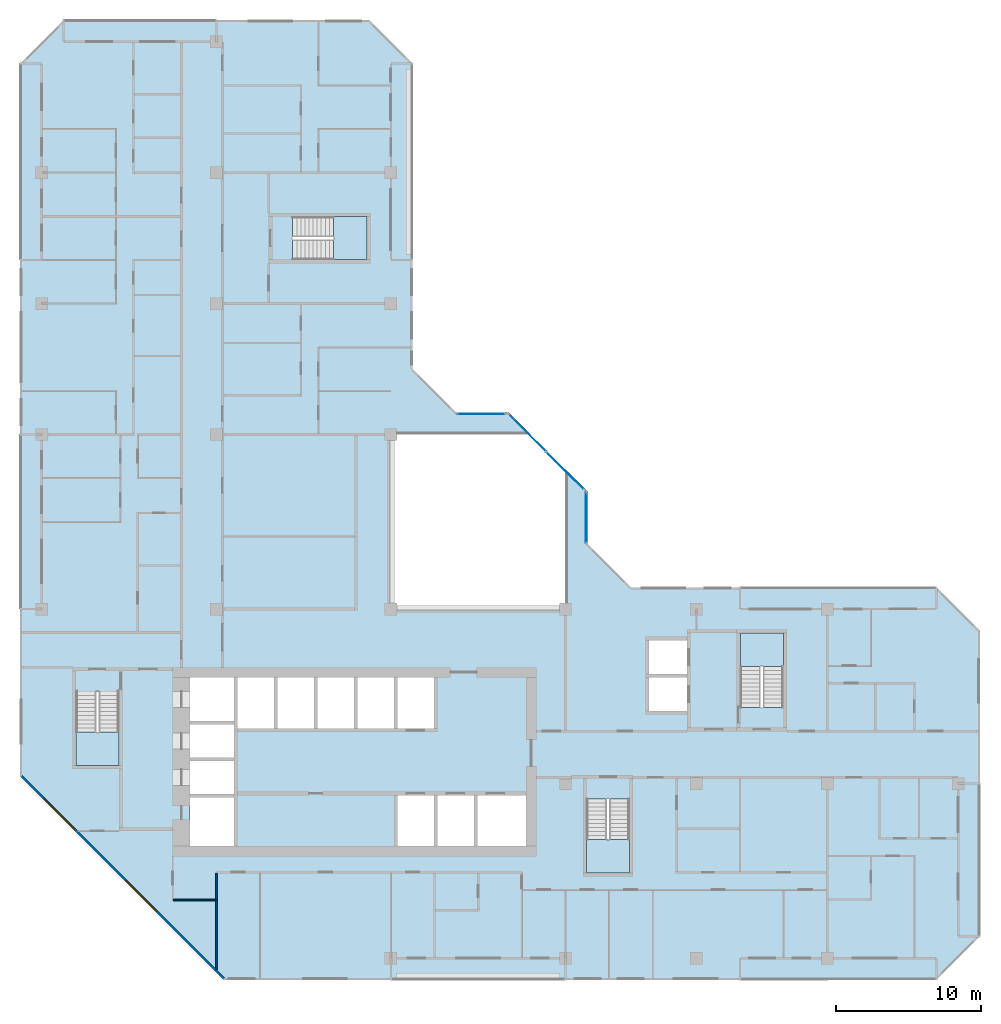
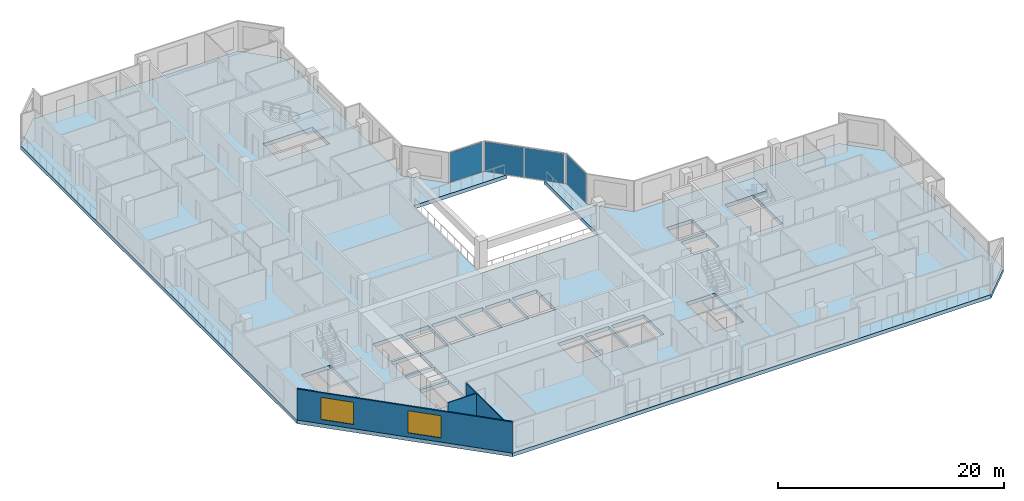
# One storey, part 3 of 14: 5 slabs, 4 plates, 3 walls, 2 windows, 2 openings, 7 elements without a shape of their own.
"""IFC4 building model written with IfcOpenShell, lengths in metres."""

from ifc_helpers import new_model, si_unit, direction, frame, frame_2d, origin, origin_2d, place, context, subcontext, project, spatial, polyline, rectangle, outline, extrude, material, layer, layer_set, type_object, element, fill, aggregate, save


model = new_model("IFC4")

# Units and contexts
model_context = context("Model", 3, precision=1e-05, world=origin(), true_north=direction((0.0, 1.0)))
body_context = subcontext(model_context, "Body", "Model", "MODEL_VIEW")
ifc_project = project(units=[si_unit("LENGTHUNIT", "METRE"), si_unit("AREAUNIT", "SQUARE_METRE"), si_unit("VOLUMEUNIT", "CUBIC_METRE"), si_unit("PLANEANGLEUNIT", "RADIAN"), si_unit("MASSUNIT", "GRAM", prefix="KILO")], contexts=[model_context])

# Site, building, storey
site_placement = place(None, origin())
site = spatial("IfcSite", under=ifc_project, at=site_placement, CompositionType="ELEMENT")
building_placement = place(site_placement, origin())
building = spatial("IfcBuilding", under=site, at=building_placement, Name="Chenar Terraces", CompositionType="ELEMENT")
storey_placement = place(building_placement, frame((0.0, 0.0, 241.64990234375)))
storey = spatial("IfcBuildingStorey", under=building, at=storey_placement, Name="L57", CompositionType="ELEMENT", Elevation=241.64990234375)

# Curtain wall, plate
ifc_material_1 = material(Name="Aluminium framed glazing", Category="aluminium")
ifc_layer_1 = layer(ifc_material_1, 0.14990234375)
ifc_layer_set_1 = layer_set([ifc_layer_1], Name="Aluminium framed glazing")
curtain_wall_type = type_object("IfcCurtainWallType", Name="Atrium mid-zone curtain wall", PredefinedType="NOTDEFINED", material=ifc_layer_set_1)
placement_1 = place(storey_placement, origin())
curtain_wall_1 = element("IfcCurtainWall", 1, at=placement_1, inside=storey, type_object=curtain_wall_type, Name="Atrium mid-zone curtain wall", PredefinedType="NOTDEFINED")
ifc_material_2 = material(Name="Low emissivity laminated glass, solar control coating", Category="glass")
ifc_layer_2 = layer(ifc_material_2, 0.031982421875)
ifc_layer_set_2 = layer_set([ifc_layer_2], Name="Low emissivity laminated glass, solar control coating")
plate_type = type_object("IfcPlateType", Name="Atrium mid-zone glazing panel 32", PredefinedType="CURTAIN_PANEL", material=ifc_layer_set_2)
plate_1_placement = place(storey_placement, frame((37.425048828125, 30.300048828125, 0.070068359375), z_axis=(0.0, 0.0, 1.0), x_axis=(0.0, 1.0, 0.0)))
plate_1 = element("IfcPlate", 2, at=plate_1_placement, type_object=plate_type, Name="CW7-1 panel 1.1", PredefinedType="CURTAIN_PANEL", context=body_context, shape_type="SweptSolid", body=[
    extrude(rectangle(XDim=3.4599609375, YDim=0.031982421875, at=origin_2d()), origin(), (0.0, 0.0, 1.0), 3.2099609375),
])
aggregate(curtain_wall_1, [plate_1])

# Curtain wall, plates
curtain_wall_2 = element("IfcCurtainWall", 3, at=placement_1, inside=storey, type_object=curtain_wall_type, Name="Atrium mid-zone curtain wall", PredefinedType="NOTDEFINED")
plate_2_placement = place(storey_placement, frame((35.978515625, 33.515380859375, 0.070068359375), z_axis=(0.0, 0.0, 1.0), x_axis=(-0.707106781187, 0.707106781187, 0.0)))
plate_2 = element("IfcPlate", 4, at=plate_2_placement, type_object=plate_type, Name="CW7-2 panel 1.1", PredefinedType="CURTAIN_PANEL", context=body_context, shape_type="SweptSolid", body=[
    extrude(rectangle(XDim=3.61328125, YDim=0.031982421875, at=origin_2d()), origin(), (0.0, 0.0, 1.0), 3.2099609375),
])
plate_3_placement = place(storey_placement, frame((33.3740234375, 36.119873046875, 0.070068359375), z_axis=(0.0, 0.0, 1.0), x_axis=(-0.707106781187, 0.707106781187, 0.0)))
plate_3 = element("IfcPlate", 5, at=plate_3_placement, type_object=plate_type, Name="CW7-2 panel 2.1", PredefinedType="CURTAIN_PANEL", context=body_context, shape_type="SweptSolid", body=[
    extrude(rectangle(XDim=3.61328125, YDim=0.031982421875, at=origin_2d()), origin(), (0.0, 0.0, 1.0), 3.2099609375),
])
aggregate(curtain_wall_2, [plate_2, plate_3])

# Curtain wall, plate
curtain_wall_3 = element("IfcCurtainWall", 6, at=placement_1, inside=storey, type_object=curtain_wall_type, Name="Atrium mid-zone curtain wall", PredefinedType="NOTDEFINED")
plate_4_placement = place(storey_placement, frame((30.199951171875, 37.425048828125, 0.070068359375), z_axis=(0.0, 0.0, 1.0), x_axis=(-1.0, 0.0, 0.0)))
plate_4 = element("IfcPlate", 7, at=plate_4_placement, type_object=plate_type, Name="CW7-3 panel 1.1", PredefinedType="CURTAIN_PANEL", context=body_context, shape_type="SweptSolid", body=[
    extrude(rectangle(XDim=3.260009765625, YDim=0.031982421875, at=origin_2d()), origin(), (0.0, 0.0, 1.0), 3.2099609375),
])
aggregate(curtain_wall_3, [plate_4])

# Stair, slab
ifc_material_3 = material(Name="Reinforced concrete C40/50", Category="concrete")
stair_type = type_object("IfcStairType", Name="Core stair 1400 half-turn", PredefinedType="HALF_TURN_STAIR", material=ifc_material_3)
stair_1 = element("IfcStair", 8, at=placement_1, inside=storey, type_object=stair_type, Name="L57 Stair 1", PredefinedType="HALF_TURN_STAIR")
ifc_material_4 = material(Name="Reinforced concrete C40/50", Category="concrete")
ifc_layer_3 = layer(ifc_material_4, 0.199951171875)
ifc_layer_set_3 = layer_set([ifc_layer_3], Name="Reinforced concrete C40/50")
slab_type_1 = type_object("IfcSlabType", Name="Core stair landing 200", PredefinedType="LANDING", material=ifc_layer_set_3)
placement_2 = place(storey_placement, frame((0.0, 0.0, 1.675048828125)))
slab_1 = element("IfcSlab", 9, at=placement_2, type_object=slab_type_1, Name="ST1 landing 1", PredefinedType="LANDING", context=body_context, shape_type="SweptSolid", body=[
    extrude(outline(polyline([(2.35009765625, 15.550048828125), (2.35009765625, 13.25), (5.300048828125, 13.25), (5.300048828125, 15.550048828125), (2.35009765625, 15.550048828125)])), origin(), (0.0, 0.0, 1.0), 0.199951171875),
])
aggregate(stair_1, [slab_1])

stair_2 = element("IfcStair", 10, at=placement_1, inside=storey, type_object=stair_type, Name="L57 Stair 2", PredefinedType="HALF_TURN_STAIR")
slab_2 = element("IfcSlab", 11, at=placement_2, type_object=slab_type_1, Name="ST2 landing 1", PredefinedType="LANDING", context=body_context, shape_type="SweptSolid", body=[
    extrude(outline(polyline([(37.449951171875, 8.14990234375), (37.449951171875, 5.85009765625), (40.39990234375, 5.85009765625), (40.39990234375, 8.14990234375), (37.449951171875, 8.14990234375)])), origin(), (0.0, 0.0, 1.0), 0.199951171875),
])
aggregate(stair_2, [slab_2])

stair_3 = element("IfcStair", 12, at=placement_1, inside=storey, type_object=stair_type, Name="L57 Stair 3", PredefinedType="HALF_TURN_STAIR")
slab_3 = element("IfcSlab", 13, at=placement_2, type_object=slab_type_1, Name="ST3 landing 1", PredefinedType="LANDING", context=body_context, shape_type="SweptSolid", body=[
    extrude(outline(polyline([(50.97509765625, 20.050048828125), (50.97509765625, 22.35009765625), (48.02490234375, 22.35009765625), (48.02490234375, 20.050048828125), (50.97509765625, 20.050048828125)])), origin(), (0.0, 0.0, 1.0), 0.199951171875),
])
aggregate(stair_3, [slab_3])

stair_4 = element("IfcStair", 14, at=placement_1, inside=storey, type_object=stair_type, Name="L57 Stair 4", PredefinedType="HALF_TURN_STAIR")
slab_4 = element("IfcSlab", 15, at=placement_2, type_object=slab_type_1, Name="ST4 landing 1", PredefinedType="LANDING", context=body_context, shape_type="SweptSolid", body=[
    extrude(outline(polyline([(20.050048828125, 48.02490234375), (22.35009765625, 48.02490234375), (22.35009765625, 50.97509765625), (20.050048828125, 50.97509765625), (20.050048828125, 48.02490234375)])), origin(), (0.0, 0.0, 1.0), 0.199951171875),
])
aggregate(stair_4, [slab_4])

# Slab
ifc_material_5 = material(Name="Concrete C40/50", Category="concrete")
ifc_layer_4 = layer(ifc_material_5, 0.39990234375)
ifc_layer_set_4 = layer_set([ifc_layer_4], Name="Concrete C40/50")
slab_type_2 = type_object("IfcSlabType", Name="Floor slab 400 Concrete C40/50", PredefinedType="FLOOR", material=ifc_layer_set_4)
slab_5_placement = place(storey_placement, frame((0.0, 0.0, -0.39990234375)))
element("IfcSlab", 16, at=slab_5_placement, inside=storey, type_object=slab_type_2, Name="Floor slab L57", PredefinedType="FLOOR", context=body_context, shape_type="SweptSolid", body=[
    extrude(outline(polyline([(64.5, 22.5), (64.5, 1.5), (61.5, -1.5), (12.5, -1.5), (-1.5, 12.5), (-1.5, 61.5), (1.5, 64.5), (22.5, 64.5), (25.5, 61.5), (25.5, 40.5), (28.5, 37.5), (32.10009765625, 37.5), (33.60009765625, 36.0), (24.0, 36.0), (24.0, 24.0), (36.0, 24.0), (36.0, 33.60009765625), (37.5, 32.10009765625), (37.5, 28.5), (40.5, 25.5), (61.5, 25.5), (64.5, 22.5)]), holes=[polyline([(13.199951171875, 11.050048828125), (10.199951171875, 11.050048828125), (10.199951171875, 7.699951171875), (13.199951171875, 7.699951171875), (13.199951171875, 11.050048828125)]), polyline([(13.199951171875, 13.550048828125), (10.199951171875, 13.550048828125), (10.199951171875, 11.300048828125), (13.199951171875, 11.300048828125), (13.199951171875, 13.550048828125)]), polyline([(13.199951171875, 16.050048828125), (10.199951171875, 16.050048828125), (10.199951171875, 13.800048828125), (13.199951171875, 13.800048828125), (13.199951171875, 16.050048828125)]), polyline([(2.35009765625, 13.25), (5.300048828125, 13.25), (5.300048828125, 18.35009765625), (2.35009765625, 18.35009765625), (2.35009765625, 13.25)]), polyline([(15.949951171875, 19.300048828125), (13.449951171875, 19.300048828125), (13.449951171875, 15.800048828125), (15.949951171875, 15.800048828125), (15.949951171875, 19.300048828125)]), polyline([(18.699951171875, 19.300048828125), (16.199951171875, 19.300048828125), (16.199951171875, 15.800048828125), (18.699951171875, 15.800048828125), (18.699951171875, 19.300048828125)]), polyline([(21.449951171875, 19.300048828125), (18.949951171875, 19.300048828125), (18.949951171875, 15.800048828125), (21.449951171875, 15.800048828125), (21.449951171875, 19.300048828125)]), polyline([(24.199951171875, 15.800048828125), (24.199951171875, 19.300048828125), (21.699951171875, 19.300048828125), (21.699951171875, 15.800048828125), (24.199951171875, 15.800048828125)]), polyline([(13.199951171875, 16.300048828125), (13.199951171875, 19.300048828125), (10.199951171875, 19.300048828125), (10.199951171875, 16.300048828125), (13.199951171875, 16.300048828125)]), polyline([(22.35009765625, 48.02490234375), (22.35009765625, 50.97509765625), (17.25, 50.97509765625), (17.25, 48.02490234375), (22.35009765625, 48.02490234375)]), polyline([(37.449951171875, 5.85009765625), (40.39990234375, 5.85009765625), (40.39990234375, 10.949951171875), (37.449951171875, 10.949951171875), (37.449951171875, 5.85009765625)]), polyline([(26.949951171875, 11.199951171875), (24.449951171875, 11.199951171875), (24.449951171875, 7.699951171875), (26.949951171875, 7.699951171875), (26.949951171875, 11.199951171875)]), polyline([(29.699951171875, 7.699951171875), (29.699951171875, 11.199951171875), (27.199951171875, 11.199951171875), (27.199951171875, 7.699951171875), (29.699951171875, 7.699951171875)]), polyline([(33.300048828125, 7.699951171875), (33.300048828125, 11.199951171875), (29.949951171875, 11.199951171875), (29.949951171875, 7.699951171875), (33.300048828125, 7.699951171875)]), polyline([(26.949951171875, 19.300048828125), (24.449951171875, 19.300048828125), (24.449951171875, 15.800048828125), (26.949951171875, 15.800048828125), (26.949951171875, 19.300048828125)]), polyline([(44.35009765625, 19.300048828125), (41.75, 19.300048828125), (41.75, 17.0), (44.35009765625, 17.0), (44.35009765625, 19.300048828125)]), polyline([(50.97509765625, 22.35009765625), (48.02490234375, 22.35009765625), (48.02490234375, 17.25), (50.97509765625, 17.25), (50.97509765625, 22.35009765625)]), polyline([(44.35009765625, 19.550048828125), (44.35009765625, 21.85009765625), (41.75, 21.85009765625), (41.75, 19.550048828125), (44.35009765625, 19.550048828125)])]), origin(), (0.0, 0.0, 1.0), 0.39990234375),
])

# Walls
ifc_material_6 = material(Name="Gypsum board on steel studs", Category="steel")
ifc_layer_5 = layer(ifc_material_6, 0.10009765625)
ifc_layer_set_5 = layer_set([ifc_layer_5], Name="Gypsum board on steel studs")
wall_type_1 = type_object("IfcWallType", Name="Gypsum partition 100", PredefinedType="PARTITIONING", material=ifc_layer_set_5)
wall_1_placement = place(storey_placement, frame((9.050048828125, 4.0, 0.0), z_axis=(0.0, 0.0, 1.0), x_axis=(1.0, 0.0, 0.0)))
element("IfcWall", 17, at=wall_1_placement, inside=storey, type_object=wall_type_1, Name="Partition L57-032", PredefinedType="PARTITIONING", context=body_context, shape_type="SweptSolid", body=[
    extrude(rectangle(XDim=2.89990234375, YDim=0.10009765625, at=frame_2d((1.449951171875, 0.0))), origin(), (0.0, 0.0, 1.0), 3.35009765625),
])
wall_2_placement = place(storey_placement, frame((12.0, -0.787841796875, 0.0), z_axis=(0.0, 0.0, 1.0), x_axis=(0.0, 1.0, 0.0)))
element("IfcWall", 18, at=wall_2_placement, inside=storey, type_object=wall_type_1, Name="Partition L57-035", PredefinedType="PARTITIONING", context=body_context, shape_type="SweptSolid", body=[
    extrude(rectangle(XDim=6.61279296875, YDim=0.10009765625, at=frame_2d((3.306396484375, 0.0))), origin(), (0.0, 0.0, 1.0), 3.35009765625),
])

# Wall, openings, windows
ifc_material_7 = material(Name="Terracotta cladding on insulated backing", Category="masonry")
ifc_layer_6 = layer(ifc_material_7, 0.14990234375)
ifc_layer_set_6 = layer_set([ifc_layer_6], Name="Terracotta cladding on insulated backing")
wall_type_2 = type_object("IfcWallType", Name="Terracotta rainscreen wall 150", PredefinedType="SOLIDWALL", material=ifc_layer_set_6)
wall_3_placement = place(storey_placement, frame((-1.447021484375, 12.552978515625, 0.0), z_axis=(0.0, 0.0, 1.0), x_axis=(0.707106781187, -0.707106781187, 0.0)))
wall_3 = element("IfcWall", 19, at=wall_3_placement, inside=storey, type_object=wall_type_2, Name="Terracotta rainscreen wall", PredefinedType="SOLIDWALL", context=body_context, shape_type="SweptSolid", body=[
    extrude(rectangle(XDim=19.799072265625, YDim=0.14990234375, at=frame_2d((9.8994140625, 0.0))), origin(), (0.0, 0.0, 1.0), 3.35009765625),
])
opening_1_placement = place(wall_3_placement, frame((2.21240234375, 0.0, 0.449951171875)))
opening_1 = element("IfcOpeningElement", 20, at=opening_1_placement, cuts=wall_3, Name="Opening W300x240", PredefinedType="OPENING", context=body_context, shape_type="SweptSolid", body=[
    extrude(rectangle(XDim=3.0, YDim=2.39990234375, at=frame_2d((1.5, 1.199951171875))), frame((0.0, 0.0849609375, 0.0), z_axis=(0.0, -1.0, 0.0), x_axis=(1.0, 0.0, 0.0)), (0.0, 0.0, 1.0), 0.169921875),
])
opening_2_placement = place(wall_3_placement, frame((10.215576171875, 0.0, 0.449951171875)))
opening_2 = element("IfcOpeningElement", 21, at=opening_2_placement, cuts=wall_3, Name="Opening W300x240", PredefinedType="OPENING", context=body_context, shape_type="SweptSolid", body=[
    extrude(rectangle(XDim=3.0, YDim=2.39990234375, at=frame_2d((1.5, 1.199951171875))), frame((0.0, 0.0849609375, 0.0), z_axis=(0.0, -1.0, 0.0), x_axis=(1.0, 0.0, 0.0)), (0.0, 0.0, 1.0), 0.169921875),
])
ifc_material_8 = material(Name="Low emissivity double glazing, aluminium frame", Category="aluminium")
window_type = type_object("IfcWindowType", Name="Fixed light 3000 x 2400", PartitioningType="SINGLE_PANEL", PredefinedType="WINDOW", material=ifc_material_8)
window_1_placement = place(opening_1_placement, origin())
window_1 = element("IfcWindow", 22, at=window_1_placement, inside=storey, type_object=window_type, Name="Window", OverallHeight=2.39990234375, OverallWidth=3.0, PartitioningType="SINGLE_PANEL", PredefinedType="WINDOW", context=body_context, shape_type="SweptSolid", body=[
    extrude(rectangle(XDim=3.0, YDim=2.39990234375, at=frame_2d((1.5, 1.199951171875))), frame((0.0, 0.030029296875, 0.0), z_axis=(0.0, -1.0, 0.0), x_axis=(1.0, 0.0, 0.0)), (0.0, 0.0, 1.0), 0.06005859375),
])
fill(opening_1, window_1)
window_2_placement = place(opening_2_placement, origin())
window_2 = element("IfcWindow", 23, at=window_2_placement, inside=storey, type_object=window_type, Name="Window", OverallHeight=2.39990234375, OverallWidth=3.0, PartitioningType="SINGLE_PANEL", PredefinedType="WINDOW", context=body_context, shape_type="SweptSolid", body=[
    extrude(rectangle(XDim=3.0, YDim=2.39990234375, at=frame_2d((1.5, 1.199951171875))), frame((0.0, 0.030029296875, 0.0), z_axis=(0.0, -1.0, 0.0), x_axis=(1.0, 0.0, 0.0)), (0.0, 0.0, 1.0), 0.06005859375),
])
fill(opening_2, window_2)

save(model, "model.ifc")
